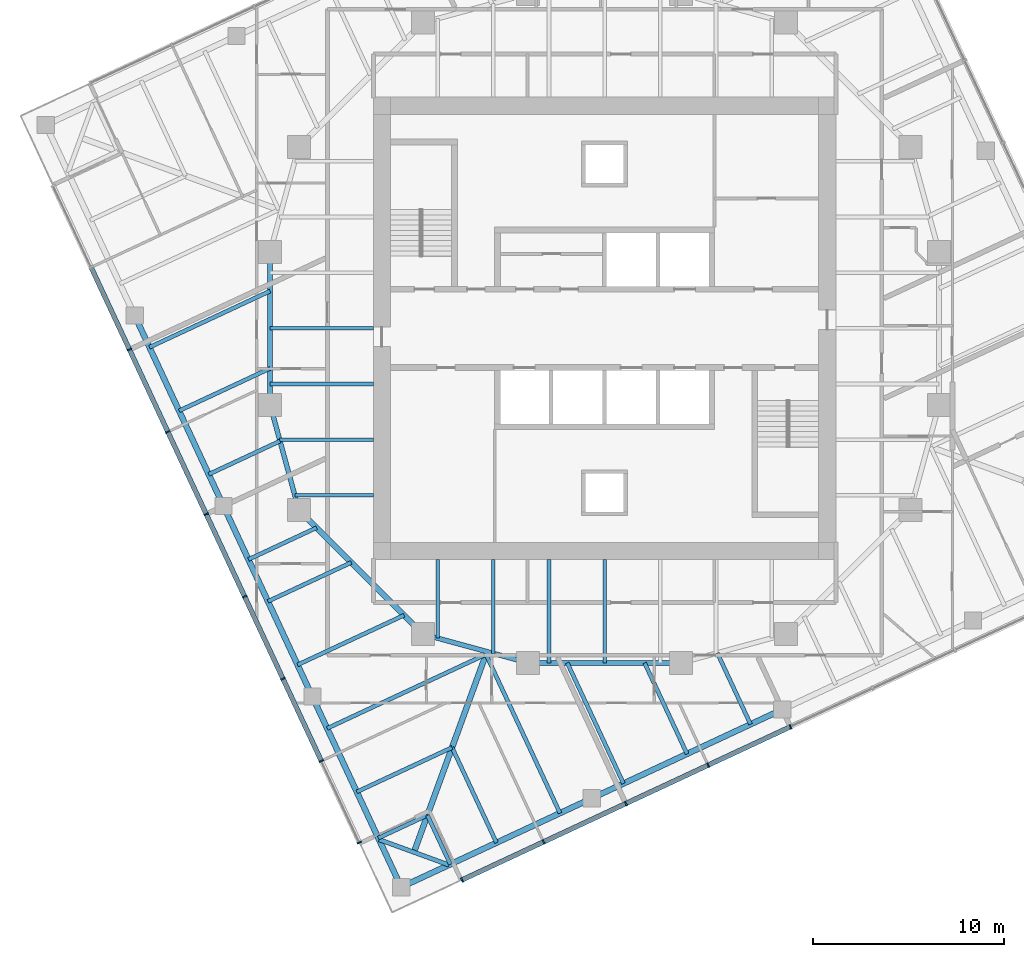
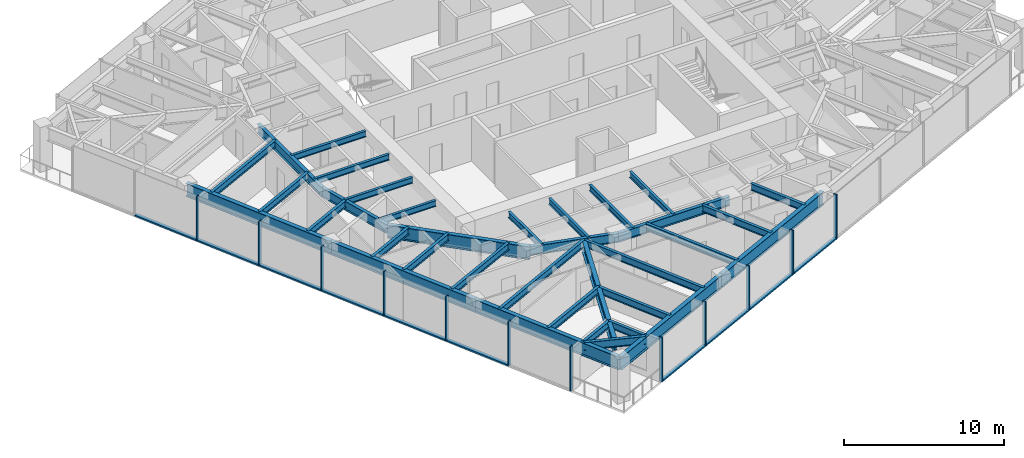
# One storey, part 2 of 13: 35 beams, 22 members, 2 elements without a shape of their own.
"""IFC4 building model written with IfcOpenShell, lengths in metres."""

from ifc_helpers import new_model, si_unit, direction, frame, origin, origin_2d, place, context, subcontext, project, spatial, rectangle, i_section, extrude, material, material_profile, profile_set, type_object, element, aggregate, save


model = new_model("IFC4")

# Units and contexts
model_context = context("Model", 3, precision=1e-05, world=origin(), true_north=direction((0.0, 1.0)))
body_context = subcontext(model_context, "Body", "Model", "MODEL_VIEW")
ifc_project = project(units=[si_unit("LENGTHUNIT", "METRE"), si_unit("AREAUNIT", "SQUARE_METRE"), si_unit("VOLUMEUNIT", "CUBIC_METRE"), si_unit("PLANEANGLEUNIT", "RADIAN"), si_unit("MASSUNIT", "GRAM", prefix="KILO")], contexts=[model_context])

# Site, building, storey
site_placement = place(None, origin())
site = spatial("IfcSite", under=ifc_project, at=site_placement, CompositionType="ELEMENT")
building_placement = place(site_placement, origin())
building = spatial("IfcBuilding", under=site, at=building_placement, Name="Torsade Residences", CompositionType="ELEMENT")
storey_placement = place(building_placement, frame((0.0, 0.0, 196.39990234375)))
storey = spatial("IfcBuildingStorey", under=building, at=storey_placement, Name="L54", CompositionType="ELEMENT", Elevation=196.39990234375)

# Beams
ifc_material_1 = material(Name="Steel grade 300", Category="steel")
ifc_material_profile_1 = material_profile(ifc_material_1, i_section(OverallWidth=0.300048828125, OverallDepth=0.89990234375, WebThickness=0.011962890625, FlangeThickness=0.02490234375, at=origin_2d()), Name="900WB175")
ifc_profile_set_1 = profile_set([ifc_material_profile_1], Name="Steel grade 300")
beam_type_1 = type_object("IfcBeamType", Name="CORNER GIRDER 900WB175", PredefinedType="BEAM", material=ifc_profile_set_1)
beam_1_placement = place(storey_placement, frame((30.02392578125, 2.5908203125, 2.800048828125), z_axis=(0.342015044723, 0.93969447651, 0.0), x_axis=(-0.93969447651, 0.342015044723, 0.0)))
element("IfcBeam", 1, at=beam_1_placement, inside=storey, type_object=beam_type_1, Name="Corner girder 01 L55", PredefinedType="BEAM", context=body_context, shape_type="SweptSolid", body=[
    extrude(i_section(OverallWidth=0.300048828125, OverallDepth=0.89990234375, WebThickness=0.011962890625, FlangeThickness=0.02490234375, at=origin_2d()), origin(), (0.0, 0.0, 1.0), 11.170654296875),
])
ifc_material_2 = material(Name="Steel grade 300", Category="steel")
ifc_material_profile_2 = material_profile(ifc_material_2, i_section(OverallWidth=0.22802734375, OverallDepth=0.60205078125, WebThickness=0.010498046875, FlangeThickness=0.014892578125, FilletRadius=0.013916015625, at=origin_2d()), Name="610UB101")
ifc_profile_set_2 = profile_set([ifc_material_profile_2], Name="Steel grade 300")
beam_type_2 = type_object("IfcBeamType", Name="CORNER TRIMMER 610UB101", PredefinedType="BEAM", material=ifc_profile_set_2)
beam_2_placement = place(storey_placement, frame((31.85107421875, 1.92578125, 2.94921875), z_axis=(-0.939698076972, 0.342005152204, 0.0), x_axis=(-0.342005152204, -0.939698076972, 0.0)))
element("IfcBeam", 2, at=beam_2_placement, inside=storey, type_object=beam_type_2, Name="Corner trimmer 01 L55", PredefinedType="BEAM", context=body_context, shape_type="SweptSolid", body=[
    extrude(i_section(OverallWidth=0.22802734375, OverallDepth=0.60205078125, WebThickness=0.010498046875, FlangeThickness=0.014892578125, FilletRadius=0.013916015625, at=origin_2d()), origin(), (0.0, 0.0, 1.0), 3.88916015625),
])
ifc_material_3 = material(Name="Steel grade 300", Category="steel")
ifc_material_profile_3 = material_profile(ifc_material_3, i_section(OverallWidth=0.300048828125, OverallDepth=1.0, WebThickness=0.01611328125, FlangeThickness=0.028076171875, at=origin_2d()), Name="1000WB215")
ifc_profile_set_3 = profile_set([ifc_material_profile_3], Name="Steel grade 300")
beam_type_3 = type_object("IfcBeamType", Name="EDGE BEAM 1000WB215", PredefinedType="SPANDREL", material=ifc_profile_set_3)
beam_3_placement = place(storey_placement, frame((29.35888671875, 0.763671875, 2.75), z_axis=(0.906309546032, 0.422614489543, 0.0), x_axis=(-0.422614489543, 0.906309546032, 0.0)))
element("IfcBeam", 3, at=beam_3_placement, inside=storey, type_object=beam_type_3, Name="Edge beam 01 L55", PredefinedType="SPANDREL", context=body_context, shape_type="SweptSolid", body=[
    extrude(i_section(OverallWidth=0.300048828125, OverallDepth=1.0, WebThickness=0.01611328125, FlangeThickness=0.028076171875, at=origin_2d()), origin(), (0.0, 0.0, 1.0), 10.999755859375),
])
for number, where, z_axis, x_axis, name in (
    (4, (39.328125, 5.412353515625, 2.75), (0.906305009094, 0.422624219007, 0.0), (-0.422624219007, 0.906305009094, 0.0), "Edge beam 02 L55"),
    (5, (15.412353515625, 30.671875, 2.75), (0.422624219007, -0.906305009094, 0.0), (0.906305009094, 0.422624219007, 0.0), "Edge beam 14 L55"),
):
    element("IfcBeam", number, at=place(storey_placement, frame(where, z_axis=z_axis, x_axis=x_axis)), inside=storey, type_object=beam_type_3, Name=name, PredefinedType="SPANDREL", context=body_context, shape_type="SweptSolid", body=[
        extrude(i_section(OverallWidth=0.300048828125, OverallDepth=1.0, WebThickness=0.01611328125, FlangeThickness=0.028076171875, at=origin_2d()), origin(), (0.0, 0.0, 1.0), 11.000244140625),
    ])
for number, where, z_axis, x_axis, name in (
    (6, (20.061279296875, 20.702392578125, 2.75), (0.422605988587, -0.906313510001, 0.0), (0.906313510001, 0.422605988587, 0.0), "Edge beam 15 L55"),
    (7, (24.7099609375, 10.73291015625, 2.75), (0.422632720171, -0.90630104482, 0.0), (0.90630104482, 0.422632720171, 0.0), "Edge beam 16 L55"),
):
    element("IfcBeam", number, at=place(storey_placement, frame(where, z_axis=z_axis, x_axis=x_axis)), inside=storey, type_object=beam_type_3, Name=name, PredefinedType="SPANDREL", context=body_context, shape_type="SweptSolid", body=[
        extrude(i_section(OverallWidth=0.300048828125, OverallDepth=1.0, WebThickness=0.01611328125, FlangeThickness=0.028076171875, at=origin_2d()), origin(), (0.0, 0.0, 1.0), 11.0),
    ])
ifc_material_4 = material(Name="Steel grade 300", Category="steel")
ifc_material_profile_4 = material_profile(ifc_material_4, i_section(OverallWidth=0.18994140625, OverallDepth=0.4541015625, WebThickness=0.008544921875, FlangeThickness=0.0126953125, FilletRadius=0.011474609375, at=origin_2d()), Name="460UB67.1")
ifc_profile_set_4 = profile_set([ifc_material_profile_4], Name="Steel grade 300")
beam_type_4 = type_object("IfcBeamType", Name="INNER FLOOR BEAM 460UB67.1", PredefinedType="JOIST", material=ifc_profile_set_4)
for number, where, z_axis, x_axis, name in (
    (8, (40.0, 17.89990234375, 3.023193359375), (0.0, -1.0, 0.0), (1.0, 0.0, 0.0), "Inner floor beam IS04 L55"),
    (9, (37.08740234375, 17.89990234375, 3.023193359375), (0.0, -1.0, 0.0), (1.0, 0.0, 0.0), "Inner floor beam IS05 L55"),
):
    element("IfcBeam", number, at=place(storey_placement, frame(where, z_axis=z_axis, x_axis=x_axis)), inside=storey, type_object=beam_type_4, Name=name, PredefinedType="JOIST", context=body_context, shape_type="SweptSolid", body=[
        extrude(i_section(OverallWidth=0.18994140625, OverallDepth=0.4541015625, WebThickness=0.008544921875, FlangeThickness=0.0126953125, FilletRadius=0.011474609375, at=origin_2d()), origin(), (0.0, 0.0, 1.0), 5.39990234375),
    ])
beam_4_placement = place(storey_placement, frame((34.175048828125, 17.89990234375, 3.023193359375), z_axis=(0.0, -1.0, 0.0), x_axis=(1.0, 0.0, 0.0)))
element("IfcBeam", 10, at=beam_4_placement, inside=storey, type_object=beam_type_4, Name="Inner floor beam IS06 L55", PredefinedType="JOIST", context=body_context, shape_type="SweptSolid", body=[
    extrude(i_section(OverallWidth=0.18994140625, OverallDepth=0.4541015625, WebThickness=0.008544921875, FlangeThickness=0.0126953125, FilletRadius=0.011474609375, at=origin_2d()), origin(), (0.0, 0.0, 1.0), 4.902099609375),
])
beam_5_placement = place(storey_placement, frame((31.262451171875, 17.89990234375, 3.023193359375), z_axis=(0.0, -1.0, 0.0), x_axis=(1.0, 0.0, 0.0)))
element("IfcBeam", 11, at=beam_5_placement, inside=storey, type_object=beam_type_4, Name="Inner floor beam IS07 L55", PredefinedType="JOIST", context=body_context, shape_type="SweptSolid", body=[
    extrude(i_section(OverallWidth=0.18994140625, OverallDepth=0.4541015625, WebThickness=0.008544921875, FlangeThickness=0.0126953125, FilletRadius=0.011474609375, at=origin_2d()), origin(), (0.0, 0.0, 1.0), 4.10791015625),
])
for number, where, z_axis, x_axis, name in (
    (12, (27.89990234375, 30.0, 3.023193359375), (-1.0, 0.0, 0.0), (0.0, -1.0, 0.0), "Inner floor beam IW04 L55"),
    (13, (27.89990234375, 27.08740234375, 3.023193359375), (-1.0, 0.0, 0.0), (0.0, -1.0, 0.0), "Inner floor beam IW05 L55"),
):
    element("IfcBeam", number, at=place(storey_placement, frame(where, z_axis=z_axis, x_axis=x_axis)), inside=storey, type_object=beam_type_4, Name=name, PredefinedType="JOIST", context=body_context, shape_type="SweptSolid", body=[
        extrude(i_section(OverallWidth=0.18994140625, OverallDepth=0.4541015625, WebThickness=0.008544921875, FlangeThickness=0.0126953125, FilletRadius=0.011474609375, at=origin_2d()), origin(), (0.0, 0.0, 1.0), 5.39990234375),
    ])
beam_6_placement = place(storey_placement, frame((27.89990234375, 24.175048828125, 3.023193359375), z_axis=(-1.0, 0.0, 0.0), x_axis=(0.0, -1.0, 0.0)))
element("IfcBeam", 14, at=beam_6_placement, inside=storey, type_object=beam_type_4, Name="Inner floor beam IW06 L55", PredefinedType="JOIST", context=body_context, shape_type="SweptSolid", body=[
    extrude(i_section(OverallWidth=0.18994140625, OverallDepth=0.4541015625, WebThickness=0.008544921875, FlangeThickness=0.0126953125, FilletRadius=0.011474609375, at=origin_2d()), origin(), (0.0, 0.0, 1.0), 4.902099609375),
])
beam_7_placement = place(storey_placement, frame((27.89990234375, 21.262451171875, 3.023193359375), z_axis=(-1.0, 0.0, 0.0), x_axis=(0.0, -1.0, 0.0)))
element("IfcBeam", 15, at=beam_7_placement, inside=storey, type_object=beam_type_4, Name="Inner floor beam IW07 L55", PredefinedType="JOIST", context=body_context, shape_type="SweptSolid", body=[
    extrude(i_section(OverallWidth=0.18994140625, OverallDepth=0.4541015625, WebThickness=0.008544921875, FlangeThickness=0.0126953125, FilletRadius=0.011474609375, at=origin_2d()), origin(), (0.0, 0.0, 1.0), 4.10791015625),
])

# Curtain wall, members
ifc_material_5 = material(Name="Aluminium and glass", Category="aluminium")
curtain_wall_type = type_object("IfcCurtainWallType", Name="FRITTED GLASS CURTAIN WALL MID ZONE", PredefinedType="NOTDEFINED", material=ifc_material_5)
curtain_wall_1_placement = place(storey_placement, origin())
curtain_wall_1 = element("IfcCurtainWall", 16, at=curtain_wall_1_placement, inside=storey, type_object=curtain_wall_type, Name="Curtain wall L54 face 1", PredefinedType="NOTDEFINED")
ifc_material_6 = material(Name="Aluminium mullion", Category="aluminium")
ifc_material_profile_5 = material_profile(ifc_material_6, rectangle(XDim=0.25, YDim=0.080078125, at=origin_2d()), Name="MID ZONE CURTAIN WALL MULLION 250x80")
ifc_profile_set_5 = profile_set([ifc_material_profile_5], Name="Aluminium mullion")
member_type_1 = type_object("IfcMemberType", Name="MID ZONE CURTAIN WALL MULLION 250x80", PredefinedType="MULLION", material=ifc_profile_set_5)
member_1_placement = place(storey_placement, frame((32.53662109375, 1.14208984375, 0.0), z_axis=(0.0, 0.0, 1.0), x_axis=(-0.422618261978, 0.906307786926, 0.0)))
member_1 = element("IfcMember", 17, at=member_1_placement, type_object=member_type_1, Name="Mullion 1", PredefinedType="MULLION", context=body_context, shape_type="SweptSolid", body=[
    extrude(rectangle(XDim=0.25, YDim=0.080078125, at=origin_2d()), origin(), (0.0, 0.0, 1.0), 3.400146484375),
])
member_2_placement = place(storey_placement, frame((36.805419921875, 3.132568359375, 0.0), z_axis=(0.0, 0.0, 1.0), x_axis=(-0.422618261978, 0.906307786926, 0.0)))
member_2 = element("IfcMember", 18, at=member_2_placement, type_object=member_type_1, Name="Mullion 2", PredefinedType="MULLION", context=body_context, shape_type="SweptSolid", body=[
    extrude(rectangle(XDim=0.25, YDim=0.080078125, at=origin_2d()), origin(), (0.0, 0.0, 1.0), 3.400146484375),
])
member_3_placement = place(storey_placement, frame((41.1103515625, 5.14013671875, 0.0), z_axis=(0.0, 0.0, 1.0), x_axis=(-0.422618261978, 0.906307786926, 0.0)))
member_3 = element("IfcMember", 19, at=member_3_placement, type_object=member_type_1, Name="Mullion 3", PredefinedType="MULLION", context=body_context, shape_type="SweptSolid", body=[
    extrude(rectangle(XDim=0.25, YDim=0.080078125, at=origin_2d()), origin(), (0.0, 0.0, 1.0), 3.400146484375),
])
member_4_placement = place(storey_placement, frame((45.415283203125, 7.1474609375, 0.0), z_axis=(0.0, 0.0, 1.0), x_axis=(-0.422618261978, 0.906307786926, 0.0)))
member_4 = element("IfcMember", 20, at=member_4_placement, type_object=member_type_1, Name="Mullion 4", PredefinedType="MULLION", context=body_context, shape_type="SweptSolid", body=[
    extrude(rectangle(XDim=0.25, YDim=0.080078125, at=origin_2d()), origin(), (0.0, 0.0, 1.0), 3.400146484375),
])
member_5_placement = place(storey_placement, frame((49.72021484375, 9.155029296875, 0.0), z_axis=(0.0, 0.0, 1.0), x_axis=(-0.422618261978, 0.906307786926, 0.0)))
member_5 = element("IfcMember", 21, at=member_5_placement, type_object=member_type_1, Name="Mullion 5", PredefinedType="MULLION", context=body_context, shape_type="SweptSolid", body=[
    extrude(rectangle(XDim=0.25, YDim=0.080078125, at=origin_2d()), origin(), (0.0, 0.0, 1.0), 3.400146484375),
])

curtain_wall_2_placement = place(storey_placement, origin())
curtain_wall_2 = element("IfcCurtainWall", 22, at=curtain_wall_2_placement, inside=storey, type_object=curtain_wall_type, Name="Curtain wall L54 face 10", PredefinedType="NOTDEFINED")
member_6_placement = place(storey_placement, frame((15.14013671875, 28.8896484375, 0.0), z_axis=(0.0, 0.0, 1.0), x_axis=(0.906307786926, 0.422618261978, 0.0)))
member_6 = element("IfcMember", 23, at=member_6_placement, type_object=member_type_1, Name="Mullion 3", PredefinedType="MULLION", context=body_context, shape_type="SweptSolid", body=[
    extrude(rectangle(XDim=0.25, YDim=0.080078125, at=origin_2d()), origin(), (0.0, 0.0, 1.0), 3.400146484375),
])
member_7_placement = place(storey_placement, frame((17.1474609375, 24.584716796875, 0.0), z_axis=(0.0, 0.0, 1.0), x_axis=(0.906307786926, 0.422618261978, 0.0)))
member_7 = element("IfcMember", 24, at=member_7_placement, type_object=member_type_1, Name="Mullion 4", PredefinedType="MULLION", context=body_context, shape_type="SweptSolid", body=[
    extrude(rectangle(XDim=0.25, YDim=0.080078125, at=origin_2d()), origin(), (0.0, 0.0, 1.0), 3.400146484375),
])
member_8_placement = place(storey_placement, frame((19.155029296875, 20.27978515625, 0.0), z_axis=(0.0, 0.0, 1.0), x_axis=(0.906307786926, 0.422618261978, 0.0)))
member_8 = element("IfcMember", 25, at=member_8_placement, type_object=member_type_1, Name="Mullion 5", PredefinedType="MULLION", context=body_context, shape_type="SweptSolid", body=[
    extrude(rectangle(XDim=0.25, YDim=0.080078125, at=origin_2d()), origin(), (0.0, 0.0, 1.0), 3.400146484375),
])
member_9_placement = place(storey_placement, frame((21.162353515625, 15.974853515625, 0.0), z_axis=(0.0, 0.0, 1.0), x_axis=(0.906307786926, 0.422618261978, 0.0)))
member_9 = element("IfcMember", 26, at=member_9_placement, type_object=member_type_1, Name="Mullion 6", PredefinedType="MULLION", context=body_context, shape_type="SweptSolid", body=[
    extrude(rectangle(XDim=0.25, YDim=0.080078125, at=origin_2d()), origin(), (0.0, 0.0, 1.0), 3.400146484375),
])
member_10_placement = place(storey_placement, frame((23.169677734375, 11.669921875, 0.0), z_axis=(0.0, 0.0, 1.0), x_axis=(0.906307786926, 0.422618261978, 0.0)))
member_10 = element("IfcMember", 27, at=member_10_placement, type_object=member_type_1, Name="Mullion 7", PredefinedType="MULLION", context=body_context, shape_type="SweptSolid", body=[
    extrude(rectangle(XDim=0.25, YDim=0.080078125, at=origin_2d()), origin(), (0.0, 0.0, 1.0), 3.400146484375),
])
member_11_placement = place(storey_placement, frame((25.17724609375, 7.364990234375, 0.0), z_axis=(0.0, 0.0, 1.0), x_axis=(0.906307786926, 0.422618261978, 0.0)))
member_11 = element("IfcMember", 28, at=member_11_placement, type_object=member_type_1, Name="Mullion 8", PredefinedType="MULLION", context=body_context, shape_type="SweptSolid", body=[
    extrude(rectangle(XDim=0.25, YDim=0.080078125, at=origin_2d()), origin(), (0.0, 0.0, 1.0), 3.400146484375),
])
member_12_placement = place(storey_placement, frame((27.167724609375, 3.09619140625, 0.0), z_axis=(0.0, 0.0, 1.0), x_axis=(0.906307786926, 0.422618261978, 0.0)))
member_12 = element("IfcMember", 29, at=member_12_placement, type_object=member_type_1, Name="Mullion 9", PredefinedType="MULLION", context=body_context, shape_type="SweptSolid", body=[
    extrude(rectangle(XDim=0.25, YDim=0.080078125, at=origin_2d()), origin(), (0.0, 0.0, 1.0), 3.400146484375),
])

# Member
ifc_material_7 = material(Name="Aluminium transom", Category="aluminium")
ifc_material_profile_6 = material_profile(ifc_material_7, rectangle(XDim=0.25, YDim=0.110107421875, at=origin_2d()), Name="MID ZONE CURTAIN WALL TRANSOM 250x110")
ifc_profile_set_6 = profile_set([ifc_material_profile_6], Name="Aluminium transom")
member_type_2 = type_object("IfcMemberType", Name="MID ZONE CURTAIN WALL TRANSOM 250x110", PredefinedType="USERDEFINED", material=ifc_profile_set_6)
member_13_placement = place(storey_placement, frame((32.572998046875, 1.158935546875, 0.05517578125), z_axis=(0.906296268578, 0.422642962277, 0.0), x_axis=(-0.422642962277, 0.906296268578, 0.0)))
member_13 = element("IfcMember", 30, at=member_13_placement, type_object=member_type_2, Name="Transom 1.1", ObjectType="TRANSOM", PredefinedType="USERDEFINED", context=body_context, shape_type="SweptSolid", body=[
    extrude(rectangle(XDim=0.25, YDim=0.110107421875, at=origin_2d()), origin(), (0.0, 0.0, 1.0), 4.6298828125),
])

member_14_placement = place(storey_placement, frame((36.841552734375, 3.1494140625, 0.05517578125), z_axis=(0.906305976097, 0.422622145291, 0.0), x_axis=(-0.422622145291, 0.906305976097, 0.0)))
member_14 = element("IfcMember", 31, at=member_14_placement, type_object=member_type_2, Name="Transom 2.1", ObjectType="TRANSOM", PredefinedType="USERDEFINED", context=body_context, shape_type="SweptSolid", body=[
    extrude(rectangle(XDim=0.25, YDim=0.110107421875, at=origin_2d()), origin(), (0.0, 0.0, 1.0), 4.669921875),
])

member_15_placement = place(storey_placement, frame((41.146484375, 5.156982421875, 0.05517578125), z_axis=(0.906305976097, 0.422622145291, 0.0), x_axis=(-0.422622145291, 0.906305976097, 0.0)))
member_15 = element("IfcMember", 32, at=member_15_placement, type_object=member_type_2, Name="Transom 3.1", ObjectType="TRANSOM", PredefinedType="USERDEFINED", context=body_context, shape_type="SweptSolid", body=[
    extrude(rectangle(XDim=0.25, YDim=0.110107421875, at=origin_2d()), origin(), (0.0, 0.0, 1.0), 4.669921875),
])

member_16_placement = place(storey_placement, frame((45.451416015625, 7.164306640625, 0.05517578125), z_axis=(0.90631531293, 0.422602122035, 0.0), x_axis=(-0.422602122035, 0.90631531293, 0.0)))
member_16 = element("IfcMember", 33, at=member_16_placement, type_object=member_type_2, Name="Transom 4.1", ObjectType="TRANSOM", PredefinedType="USERDEFINED", context=body_context, shape_type="SweptSolid", body=[
    extrude(rectangle(XDim=0.25, YDim=0.110107421875, at=origin_2d()), origin(), (0.0, 0.0, 1.0), 4.670166015625),
])

aggregate(curtain_wall_1, [member_1, member_2, member_3, member_4, member_5, member_13, member_14, member_15, member_16])

member_17_placement = place(storey_placement, frame((13.1494140625, 33.158447265625, 0.05517578125), z_axis=(0.422622145291, -0.906305976097, 0.0), x_axis=(0.906305976097, 0.422622145291, 0.0)))
member_17 = element("IfcMember", 34, at=member_17_placement, type_object=member_type_2, Name="Transom 2.1", ObjectType="TRANSOM", PredefinedType="USERDEFINED", context=body_context, shape_type="SweptSolid", body=[
    extrude(rectangle(XDim=0.25, YDim=0.110107421875, at=origin_2d()), origin(), (0.0, 0.0, 1.0), 4.669921875),
])

member_18_placement = place(storey_placement, frame((15.156982421875, 28.853515625, 0.05517578125), z_axis=(0.422622145291, -0.906305976097, 0.0), x_axis=(0.906305976097, 0.422622145291, 0.0)))
member_18 = element("IfcMember", 35, at=member_18_placement, type_object=member_type_2, Name="Transom 3.1", ObjectType="TRANSOM", PredefinedType="USERDEFINED", context=body_context, shape_type="SweptSolid", body=[
    extrude(rectangle(XDim=0.25, YDim=0.110107421875, at=origin_2d()), origin(), (0.0, 0.0, 1.0), 4.669921875),
])

member_19_placement = place(storey_placement, frame((17.164306640625, 24.548583984375, 0.05517578125), z_axis=(0.422602122035, -0.90631531293, 0.0), x_axis=(0.90631531293, 0.422602122035, 0.0)))
member_19 = element("IfcMember", 36, at=member_19_placement, type_object=member_type_2, Name="Transom 4.1", ObjectType="TRANSOM", PredefinedType="USERDEFINED", context=body_context, shape_type="SweptSolid", body=[
    extrude(rectangle(XDim=0.25, YDim=0.110107421875, at=origin_2d()), origin(), (0.0, 0.0, 1.0), 4.670166015625),
])

member_20_placement = place(storey_placement, frame((19.171875, 20.243408203125, 0.05517578125), z_axis=(0.422622145291, -0.906305976097, 0.0), x_axis=(0.906305976097, 0.422622145291, 0.0)))
member_20 = element("IfcMember", 37, at=member_20_placement, type_object=member_type_2, Name="Transom 5.1", ObjectType="TRANSOM", PredefinedType="USERDEFINED", context=body_context, shape_type="SweptSolid", body=[
    extrude(rectangle(XDim=0.25, YDim=0.110107421875, at=origin_2d()), origin(), (0.0, 0.0, 1.0), 4.669921875),
])

member_21_placement = place(storey_placement, frame((21.17919921875, 15.9384765625, 0.05517578125), z_axis=(0.422622145291, -0.906305976097, 0.0), x_axis=(0.906305976097, 0.422622145291, 0.0)))
member_21 = element("IfcMember", 38, at=member_21_placement, type_object=member_type_2, Name="Transom 6.1", ObjectType="TRANSOM", PredefinedType="USERDEFINED", context=body_context, shape_type="SweptSolid", body=[
    extrude(rectangle(XDim=0.25, YDim=0.110107421875, at=origin_2d()), origin(), (0.0, 0.0, 1.0), 4.669921875),
])

member_22_placement = place(storey_placement, frame((23.186767578125, 11.633544921875, 0.05517578125), z_axis=(0.422622145291, -0.906305976097, 0.0), x_axis=(0.906305976097, 0.422622145291, 0.0)))
member_22 = element("IfcMember", 39, at=member_22_placement, type_object=member_type_2, Name="Transom 7.1", ObjectType="TRANSOM", PredefinedType="USERDEFINED", context=body_context, shape_type="SweptSolid", body=[
    extrude(rectangle(XDim=0.25, YDim=0.110107421875, at=origin_2d()), origin(), (0.0, 0.0, 1.0), 4.669921875),
])

aggregate(curtain_wall_2, [member_6, member_7, member_8, member_9, member_10, member_11, member_12, member_17, member_18, member_19, member_20, member_21, member_22])

# Beams
ifc_material_8 = material(Name="Steel grade 300", Category="steel")
ifc_material_profile_7 = material_profile(ifc_material_8, i_section(OverallWidth=0.300048828125, OverallDepth=1.0, WebThickness=0.01611328125, FlangeThickness=0.028076171875, at=origin_2d()), Name="1000WB215")
ifc_profile_set_7 = profile_set([ifc_material_profile_7], Name="Steel grade 300")
beam_type_5 = type_object("IfcBeamType", Name="RING CORNER GIRDER 1000WB215", PredefinedType="BEAM", material=ifc_profile_set_7)
beam_8_placement = place(storey_placement, frame((24.0, 20.5, 2.75), z_axis=(0.707106781187, -0.707106781187, 0.0), x_axis=(0.707106781187, 0.707106781187, 0.0)))
element("IfcBeam", 40, at=beam_8_placement, inside=storey, type_object=beam_type_5, Name="Ring girder IR11 L55", PredefinedType="BEAM", context=body_context, shape_type="SweptSolid", body=[
    extrude(i_section(OverallWidth=0.300048828125, OverallDepth=1.0, WebThickness=0.01611328125, FlangeThickness=0.028076171875, at=origin_2d()), origin(), (0.0, 0.0, 1.0), 9.1923828125),
])
ifc_material_9 = material(Name="Steel grade 300", Category="steel")
ifc_material_profile_8 = material_profile(ifc_material_9, i_section(OverallWidth=0.25, OverallDepth=0.699951171875, WebThickness=0.010009765625, FlangeThickness=0.02001953125, at=origin_2d()), Name="700WB130")
ifc_profile_set_8 = profile_set([ifc_material_profile_8], Name="Steel grade 300")
beam_type_6 = type_object("IfcBeamType", Name="RING GIRDER 700WB130", PredefinedType="BEAM", material=ifc_profile_set_8)
beam_9_placement = place(storey_placement, frame((22.5, 34.0, 2.900146484375), z_axis=(0.0, -1.0, 0.0), x_axis=(1.0, 0.0, 0.0)))
element("IfcBeam", 41, at=beam_9_placement, inside=storey, type_object=beam_type_6, Name="Ring girder IR09 L55", PredefinedType="BEAM", context=body_context, shape_type="SweptSolid", body=[
    extrude(i_section(OverallWidth=0.25, OverallDepth=0.699951171875, WebThickness=0.010009765625, FlangeThickness=0.02001953125, at=origin_2d()), origin(), (0.0, 0.0, 1.0), 8.0),
])
for number, where, z_axis, x_axis, name in (
    (42, (22.5, 26.0, 2.900146484375), (0.263117405792, -0.964763821238, 0.0), (0.964763821238, 0.263117405792, 0.0), "Ring girder IR10 L55"),
    (43, (30.5, 14.0, 2.900146484375), (0.964763821238, -0.263117405792, 0.0), (0.263117405792, 0.964763821238, 0.0), "Ring girder IR12 L55"),
):
    element("IfcBeam", number, at=place(storey_placement, frame(where, z_axis=z_axis, x_axis=x_axis)), inside=storey, type_object=beam_type_6, Name=name, PredefinedType="BEAM", context=body_context, shape_type="SweptSolid", body=[
        extrude(i_section(OverallWidth=0.25, OverallDepth=0.699951171875, WebThickness=0.010009765625, FlangeThickness=0.02001953125, at=origin_2d()), origin(), (0.0, 0.0, 1.0), 5.700927734375),
    ])
beam_10_placement = place(storey_placement, frame((36.0, 12.5, 2.900146484375), z_axis=(1.0, 0.0, 0.0), x_axis=(0.0, 1.0, 0.0)))
element("IfcBeam", 44, at=beam_10_placement, inside=storey, type_object=beam_type_6, Name="Ring girder IR13 L55", PredefinedType="BEAM", context=body_context, shape_type="SweptSolid", body=[
    extrude(i_section(OverallWidth=0.25, OverallDepth=0.699951171875, WebThickness=0.010009765625, FlangeThickness=0.02001953125, at=origin_2d()), origin(), (0.0, 0.0, 1.0), 8.0),
])
ifc_material_10 = material(Name="Steel grade 300", Category="steel")
ifc_material_profile_9 = material_profile(ifc_material_10, i_section(OverallWidth=0.208984375, OverallDepth=0.528076171875, WebThickness=0.009521484375, FlangeThickness=0.01318359375, FilletRadius=0.013916015625, at=origin_2d()), Name="530UB82.0")
ifc_profile_set_9 = profile_set([ifc_material_profile_9], Name="Steel grade 300")
beam_type_7 = type_object("IfcBeamType", Name="SECONDARY BEAM 530UB82.0", PredefinedType="JOIST", material=ifc_profile_set_9)
beam_11_placement = place(storey_placement, frame((31.9267578125, 1.9609375, 2.986083984375), z_axis=(-0.422644877104, 0.906295375613, 0.0), x_axis=(-0.906295375613, -0.422644877104, 0.0)))
element("IfcBeam", 45, at=beam_11_placement, inside=storey, type_object=beam_type_7, Name="Floor beam FS01 L55", PredefinedType="JOIST", context=body_context, shape_type="SweptSolid", body=[
    extrude(i_section(OverallWidth=0.208984375, OverallDepth=0.528076171875, WebThickness=0.009521484375, FlangeThickness=0.01318359375, FilletRadius=0.013916015625, at=origin_2d()), origin(), (0.0, 0.0, 1.0), 2.833251953125),
])
beam_12_placement = place(storey_placement, frame((34.343505859375, 3.088134765625, 2.986083984375), z_axis=(-0.422632720171, 0.90630104482, 0.0), x_axis=(-0.90630104482, -0.422632720171, 0.0)))
element("IfcBeam", 46, at=beam_12_placement, inside=storey, type_object=beam_type_7, Name="Floor beam FS02 L55", PredefinedType="JOIST", context=body_context, shape_type="SweptSolid", body=[
    extrude(i_section(OverallWidth=0.208984375, OverallDepth=0.528076171875, WebThickness=0.009521484375, FlangeThickness=0.01318359375, FilletRadius=0.013916015625, at=origin_2d()), origin(), (0.0, 0.0, 1.0), 5.5),
])
beam_13_placement = place(storey_placement, frame((37.666748046875, 4.6376953125, 2.986083984375), z_axis=(-0.422618627092, 0.90630761667, 0.0), x_axis=(-0.90630761667, -0.422618627092, 0.0)))
element("IfcBeam", 47, at=beam_13_placement, inside=storey, type_object=beam_type_7, Name="Floor beam FS03 L55", PredefinedType="JOIST", context=body_context, shape_type="SweptSolid", body=[
    extrude(i_section(OverallWidth=0.208984375, OverallDepth=0.528076171875, WebThickness=0.009521484375, FlangeThickness=0.01318359375, FilletRadius=0.013916015625, at=origin_2d()), origin(), (0.0, 0.0, 1.0), 9.166748046875),
])
beam_14_placement = place(storey_placement, frame((40.98974609375, 6.187255859375, 2.986083984375), z_axis=(-0.422609131726, 0.906312044376, 0.0), x_axis=(-0.906312044376, -0.422609131726, 0.0)))
element("IfcBeam", 48, at=beam_14_placement, inside=storey, type_object=beam_type_7, Name="Floor beam FS04 L55", PredefinedType="JOIST", context=body_context, shape_type="SweptSolid", body=[
    extrude(i_section(OverallWidth=0.208984375, OverallDepth=0.528076171875, WebThickness=0.009521484375, FlangeThickness=0.01318359375, FilletRadius=0.013916015625, at=origin_2d()), origin(), (0.0, 0.0, 1.0), 6.96533203125),
])
beam_15_placement = place(storey_placement, frame((44.31298828125, 7.73681640625, 2.986083984375), z_axis=(-0.422631142882, 0.90630178035, 0.0), x_axis=(-0.90630178035, -0.422631142882, 0.0)))
element("IfcBeam", 49, at=beam_15_placement, inside=storey, type_object=beam_type_7, Name="Floor beam FS05 L55", PredefinedType="JOIST", context=body_context, shape_type="SweptSolid", body=[
    extrude(i_section(OverallWidth=0.208984375, OverallDepth=0.528076171875, WebThickness=0.009521484375, FlangeThickness=0.01318359375, FilletRadius=0.013916015625, at=origin_2d()), origin(), (0.0, 0.0, 1.0), 5.255615234375),
])
beam_16_placement = place(storey_placement, frame((47.635986328125, 9.286376953125, 2.986083984375), z_axis=(-0.422635442612, 0.906299775267, 0.0), x_axis=(-0.906299775267, -0.422635442612, 0.0)))
element("IfcBeam", 50, at=beam_16_placement, inside=storey, type_object=beam_type_7, Name="Floor beam FS06 L55", PredefinedType="JOIST", context=body_context, shape_type="SweptSolid", body=[
    extrude(i_section(OverallWidth=0.208984375, OverallDepth=0.528076171875, WebThickness=0.009521484375, FlangeThickness=0.01318359375, FilletRadius=0.013916015625, at=origin_2d()), origin(), (0.0, 0.0, 1.0), 4.116455078125),
])
beam_17_placement = place(storey_placement, frame((16.187255859375, 29.01025390625, 2.986083984375), z_axis=(0.906312044376, 0.422609131726, 0.0), x_axis=(-0.422609131726, 0.906312044376, 0.0)))
element("IfcBeam", 51, at=beam_17_placement, inside=storey, type_object=beam_type_7, Name="Floor beam FW04 L55", PredefinedType="JOIST", context=body_context, shape_type="SweptSolid", body=[
    extrude(i_section(OverallWidth=0.208984375, OverallDepth=0.528076171875, WebThickness=0.009521484375, FlangeThickness=0.01318359375, FilletRadius=0.013916015625, at=origin_2d()), origin(), (0.0, 0.0, 1.0), 6.96533203125),
])
beam_18_placement = place(storey_placement, frame((17.73681640625, 25.68701171875, 2.986083984375), z_axis=(0.90630178035, 0.422631142882, 0.0), x_axis=(-0.422631142882, 0.90630178035, 0.0)))
element("IfcBeam", 52, at=beam_18_placement, inside=storey, type_object=beam_type_7, Name="Floor beam FW05 L55", PredefinedType="JOIST", context=body_context, shape_type="SweptSolid", body=[
    extrude(i_section(OverallWidth=0.208984375, OverallDepth=0.528076171875, WebThickness=0.009521484375, FlangeThickness=0.01318359375, FilletRadius=0.013916015625, at=origin_2d()), origin(), (0.0, 0.0, 1.0), 5.255615234375),
])
beam_19_placement = place(storey_placement, frame((19.286376953125, 22.364013671875, 2.986083984375), z_axis=(0.906299775267, 0.422635442612, 0.0), x_axis=(-0.422635442612, 0.906299775267, 0.0)))
element("IfcBeam", 53, at=beam_19_placement, inside=storey, type_object=beam_type_7, Name="Floor beam FW06 L55", PredefinedType="JOIST", context=body_context, shape_type="SweptSolid", body=[
    extrude(i_section(OverallWidth=0.208984375, OverallDepth=0.528076171875, WebThickness=0.009521484375, FlangeThickness=0.01318359375, FilletRadius=0.013916015625, at=origin_2d()), origin(), (0.0, 0.0, 1.0), 4.116455078125),
])
beam_20_placement = place(storey_placement, frame((21.3642578125, 17.907958984375, 2.986083984375), z_axis=(0.906295680735, 0.422644222818, 0.0), x_axis=(-0.422644222818, 0.906295680735, 0.0)))
element("IfcBeam", 54, at=beam_20_placement, inside=storey, type_object=beam_type_7, Name="Floor beam FW07 L55", PredefinedType="JOIST", context=body_context, shape_type="SweptSolid", body=[
    extrude(i_section(OverallWidth=0.208984375, OverallDepth=0.528076171875, WebThickness=0.009521484375, FlangeThickness=0.01318359375, FilletRadius=0.013916015625, at=origin_2d()), origin(), (0.0, 0.0, 1.0), 3.933837890625),
])
beam_21_placement = place(storey_placement, frame((22.3857421875, 15.7177734375, 2.986083984375), z_axis=(0.906307500203, 0.422618876857, 0.0), x_axis=(-0.422618876857, 0.906307500203, 0.0)))
element("IfcBeam", 55, at=beam_21_placement, inside=storey, type_object=beam_type_7, Name="Floor beam FW08 L55", PredefinedType="JOIST", context=body_context, shape_type="SweptSolid", body=[
    extrude(i_section(OverallWidth=0.208984375, OverallDepth=0.528076171875, WebThickness=0.009521484375, FlangeThickness=0.01318359375, FilletRadius=0.013916015625, at=origin_2d()), origin(), (0.0, 0.0, 1.0), 4.813232421875),
])
beam_22_placement = place(storey_placement, frame((23.935302734375, 12.39453125, 2.986083984375), z_axis=(0.906293692233, 0.42264848683, 0.0), x_axis=(-0.42264848683, 0.906293692233, 0.0)))
element("IfcBeam", 56, at=beam_22_placement, inside=storey, type_object=beam_type_7, Name="Floor beam FW09 L55", PredefinedType="JOIST", context=body_context, shape_type="SweptSolid", body=[
    extrude(i_section(OverallWidth=0.208984375, OverallDepth=0.528076171875, WebThickness=0.009521484375, FlangeThickness=0.01318359375, FilletRadius=0.013916015625, at=origin_2d()), origin(), (0.0, 0.0, 1.0), 6.14794921875),
])
beam_23_placement = place(storey_placement, frame((25.48486328125, 9.071533203125, 2.986083984375), z_axis=(0.90630761667, 0.422618627092, 0.0), x_axis=(-0.422618627092, 0.90630761667, 0.0)))
element("IfcBeam", 57, at=beam_23_placement, inside=storey, type_object=beam_type_7, Name="Floor beam FW10 L55", PredefinedType="JOIST", context=body_context, shape_type="SweptSolid", body=[
    extrude(i_section(OverallWidth=0.208984375, OverallDepth=0.528076171875, WebThickness=0.009521484375, FlangeThickness=0.01318359375, FilletRadius=0.013916015625, at=origin_2d()), origin(), (0.0, 0.0, 1.0), 9.166748046875),
])
beam_24_placement = place(storey_placement, frame((27.034423828125, 5.748291015625, 2.986083984375), z_axis=(0.90630104482, 0.422632720171, 0.0), x_axis=(-0.422632720171, 0.90630104482, 0.0)))
element("IfcBeam", 58, at=beam_24_placement, inside=storey, type_object=beam_type_7, Name="Floor beam FW11 L55", PredefinedType="JOIST", context=body_context, shape_type="SweptSolid", body=[
    extrude(i_section(OverallWidth=0.208984375, OverallDepth=0.528076171875, WebThickness=0.009521484375, FlangeThickness=0.01318359375, FilletRadius=0.013916015625, at=origin_2d()), origin(), (0.0, 0.0, 1.0), 5.5),
])
beam_25_placement = place(storey_placement, frame((28.161376953125, 3.33154296875, 2.986083984375), z_axis=(0.906328379221, 0.42257409885, 0.0), x_axis=(-0.42257409885, 0.906328379221, 0.0)))
element("IfcBeam", 59, at=beam_25_placement, inside=storey, type_object=beam_type_7, Name="Floor beam FW12 L55", PredefinedType="JOIST", context=body_context, shape_type="SweptSolid", body=[
    extrude(i_section(OverallWidth=0.208984375, OverallDepth=0.528076171875, WebThickness=0.009521484375, FlangeThickness=0.01318359375, FilletRadius=0.013916015625, at=origin_2d()), origin(), (0.0, 0.0, 1.0), 2.833251953125),
])

save(model, "model.ifc")
